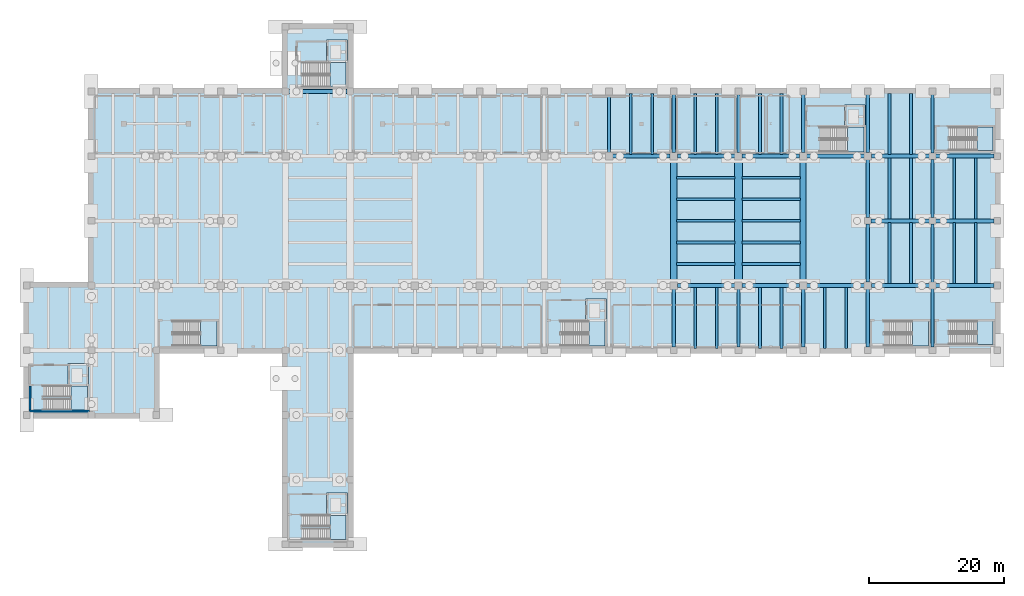
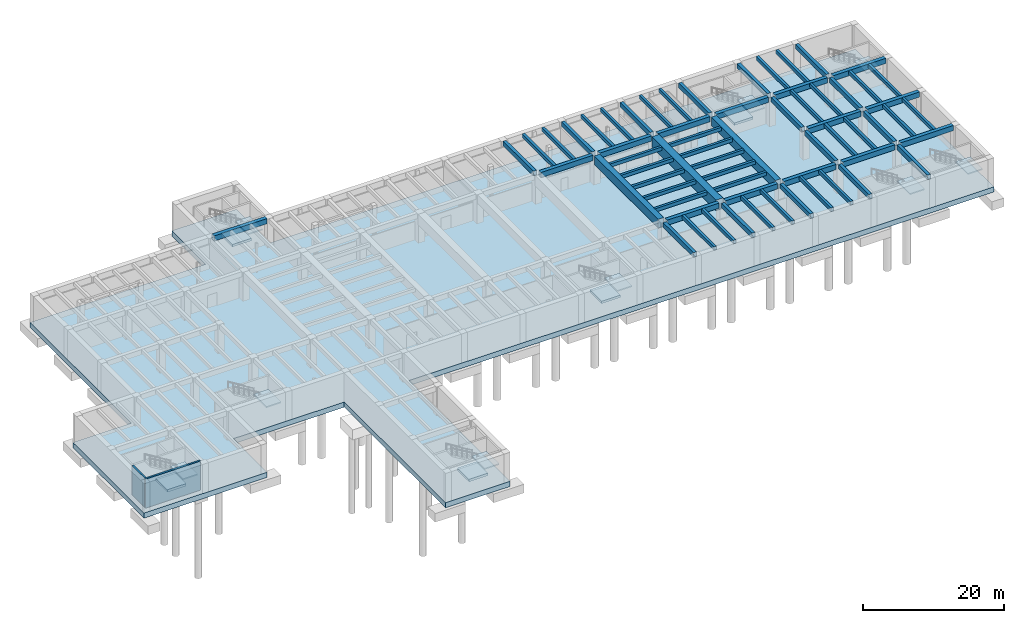
# One storey, part 8 of 24: 64 beams, 15 slabs, 2 walls, 9 elements without a shape of their own.
"""IFC4 building model written with IfcOpenShell, lengths in metres."""

from ifc_helpers import new_model, si_unit, direction, frame, frame_2d, origin, origin_2d, place, context, subcontext, project, spatial, polyline, rectangle, outline, extrude, material, layer, layer_set, material_profile, profile_set, type_object, element, aggregate, save


model = new_model("IFC4")

# Units and contexts
model_context = context("Model", 3, precision=1e-05, world=origin(), true_north=direction((0.0, 1.0)))
body_context = subcontext(model_context, "Body", "Model", "MODEL_VIEW")
ifc_project = project(units=[si_unit("LENGTHUNIT", "METRE"), si_unit("AREAUNIT", "SQUARE_METRE"), si_unit("VOLUMEUNIT", "CUBIC_METRE"), si_unit("PLANEANGLEUNIT", "RADIAN"), si_unit("MASSUNIT", "GRAM", prefix="KILO")], contexts=[model_context])

# Site, building, storey
site_placement = place(None, origin())
site = spatial("IfcSite", under=ifc_project, at=site_placement, CompositionType="ELEMENT")
building_placement = place(site_placement, origin())
building = spatial("IfcBuilding", under=site, at=building_placement, Name="Coralgate Yard Interchange", CompositionType="ELEMENT")
storey_placement = place(building_placement, frame((0.0, 0.0, -10.800048828125)))
storey = spatial("IfcBuildingStorey", under=building, at=storey_placement, Name="B2", CompositionType="ELEMENT", Elevation=-10.800048828125)

# Beams
ifc_material = material(Name="Concrete C40/50", Category="concrete")
ifc_material_profile_1 = material_profile(ifc_material, rectangle(XDim=0.60009765625, YDim=0.89990234375, at=origin_2d()), Name="RC 600x900")
ifc_profile_set_1 = profile_set([ifc_material_profile_1], Name="Concrete C40/50")
beam_type_1 = type_object("IfcBeamType", Name="BM-CB-3", PredefinedType="BEAM", material=ifc_profile_set_1)
beam_1_placement = place(storey_placement, frame((106.1201171875, 48.0, 4.60009765625), z_axis=(1.0, 0.0, 0.0), x_axis=(0.0, 1.0, 0.0)))
element("IfcBeam", 1, at=beam_1_placement, inside=storey, type_object=beam_type_1, Name="B2 primary grid beam Y5 X11-12", PredefinedType="BEAM", context=body_context, shape_type="SweptSolid", body=[
    extrude(rectangle(XDim=0.60009765625, YDim=0.89990234375, at=origin_2d()), origin(), (0.0, 0.0, 1.0), 8.559814453125),
])
beam_2_placement = place(storey_placement, frame((115.719970703125, 48.0, 4.60009765625), z_axis=(1.0, 0.0, 0.0), x_axis=(0.0, 1.0, 0.0)))
element("IfcBeam", 2, at=beam_2_placement, inside=storey, type_object=beam_type_1, Name="B2 primary grid beam Y5 X12-13", PredefinedType="BEAM", context=body_context, shape_type="SweptSolid", body=[
    extrude(rectangle(XDim=0.60009765625, YDim=0.89990234375, at=origin_2d()), origin(), (0.0, 0.0, 1.0), 8.56005859375),
])
beam_3_placement = place(storey_placement, frame((125.320068359375, 48.0, 4.60009765625), z_axis=(1.0, 0.0, 0.0), x_axis=(0.0, 1.0, 0.0)))
element("IfcBeam", 3, at=beam_3_placement, inside=storey, type_object=beam_type_1, Name="B2 primary grid beam Y5 X13-14", PredefinedType="BEAM", context=body_context, shape_type="SweptSolid", body=[
    extrude(rectangle(XDim=0.60009765625, YDim=0.89990234375, at=origin_2d()), origin(), (0.0, 0.0, 1.0), 8.559814453125),
])
beam_4_placement = place(storey_placement, frame((134.919921875, 48.0, 4.60009765625), z_axis=(1.0, 0.0, 0.0), x_axis=(0.0, 1.0, 0.0)))
element("IfcBeam", 4, at=beam_4_placement, inside=storey, type_object=beam_type_1, Name="B2 primary grid beam Y5 X14-15", PredefinedType="BEAM", context=body_context, shape_type="SweptSolid", body=[
    extrude(rectangle(XDim=0.60009765625, YDim=0.89990234375, at=origin_2d()), origin(), (0.0, 0.0, 1.0), 8.610107421875),
])
for number, where, z_axis, x_axis, name in (
    (5, (144.469970703125, 48.0, 4.60009765625), (1.0, 0.0, 0.0), (0.0, 1.0, 0.0), "B2 primary grid beam Y5 X15-16"),
    (6, (134.8701171875, 57.60009765625, 4.60009765625), (1.0, 0.0, 0.0), (0.0, 1.0, 0.0), "B2 primary grid beam Y6 X14-15"),
    (7, (144.469970703125, 57.60009765625, 4.60009765625), (1.0, 0.0, 0.0), (0.0, 1.0, 0.0), "B2 primary grid beam Y6 X15-16"),
):
    element("IfcBeam", number, at=place(storey_placement, frame(where, z_axis=z_axis, x_axis=x_axis)), inside=storey, type_object=beam_type_1, Name=name, PredefinedType="BEAM", context=body_context, shape_type="SweptSolid", body=[
        extrude(rectangle(XDim=0.60009765625, YDim=0.89990234375, at=origin_2d()), origin(), (0.0, 0.0, 1.0), 8.659912109375),
    ])
beam_5_placement = place(storey_placement, frame((96.52001953125, 67.199951171875, 4.60009765625), z_axis=(1.0, 0.0, 0.0), x_axis=(0.0, 1.0, 0.0)))
element("IfcBeam", 8, at=beam_5_placement, inside=storey, type_object=beam_type_1, Name="B2 primary grid beam Y7 X10-11", PredefinedType="BEAM", context=body_context, shape_type="SweptSolid", body=[
    extrude(rectangle(XDim=0.60009765625, YDim=0.89990234375, at=origin_2d()), origin(), (0.0, 0.0, 1.0), 8.56005859375),
])
beam_6_placement = place(storey_placement, frame((106.1201171875, 67.199951171875, 4.60009765625), z_axis=(1.0, 0.0, 0.0), x_axis=(0.0, 1.0, 0.0)))
element("IfcBeam", 9, at=beam_6_placement, inside=storey, type_object=beam_type_1, Name="B2 primary grid beam Y7 X11-12", PredefinedType="BEAM", context=body_context, shape_type="SweptSolid", body=[
    extrude(rectangle(XDim=0.60009765625, YDim=0.89990234375, at=origin_2d()), origin(), (0.0, 0.0, 1.0), 8.559814453125),
])
beam_7_placement = place(storey_placement, frame((115.719970703125, 67.199951171875, 4.60009765625), z_axis=(1.0, 0.0, 0.0), x_axis=(0.0, 1.0, 0.0)))
element("IfcBeam", 10, at=beam_7_placement, inside=storey, type_object=beam_type_1, Name="B2 primary grid beam Y7 X12-13", PredefinedType="BEAM", context=body_context, shape_type="SweptSolid", body=[
    extrude(rectangle(XDim=0.60009765625, YDim=0.89990234375, at=origin_2d()), origin(), (0.0, 0.0, 1.0), 8.56005859375),
])
beam_8_placement = place(storey_placement, frame((125.320068359375, 67.199951171875, 4.60009765625), z_axis=(1.0, 0.0, 0.0), x_axis=(0.0, 1.0, 0.0)))
element("IfcBeam", 11, at=beam_8_placement, inside=storey, type_object=beam_type_1, Name="B2 primary grid beam Y7 X13-14", PredefinedType="BEAM", context=body_context, shape_type="SweptSolid", body=[
    extrude(rectangle(XDim=0.60009765625, YDim=0.89990234375, at=origin_2d()), origin(), (0.0, 0.0, 1.0), 8.559814453125),
])
beam_9_placement = place(storey_placement, frame((134.919921875, 67.199951171875, 4.60009765625), z_axis=(1.0, 0.0, 0.0), x_axis=(0.0, 1.0, 0.0)))
element("IfcBeam", 12, at=beam_9_placement, inside=storey, type_object=beam_type_1, Name="B2 primary grid beam Y7 X14-15", PredefinedType="BEAM", context=body_context, shape_type="SweptSolid", body=[
    extrude(rectangle(XDim=0.60009765625, YDim=0.89990234375, at=origin_2d()), origin(), (0.0, 0.0, 1.0), 8.610107421875),
])
for number, where, z_axis, x_axis, name in (
    (13, (144.469970703125, 67.199951171875, 4.60009765625), (1.0, 0.0, 0.0), (0.0, 1.0, 0.0), "B2 primary grid beam Y7 X15-16"),
    (14, (48.469970703125, 76.800048828125, 4.60009765625), (1.0, 0.0, 0.0), (0.0, 1.0, 0.0), "B2 primary grid beam Y8 X5-6"),
):
    element("IfcBeam", number, at=place(storey_placement, frame(where, z_axis=z_axis, x_axis=x_axis)), inside=storey, type_object=beam_type_1, Name=name, PredefinedType="BEAM", context=body_context, shape_type="SweptSolid", body=[
        extrude(rectangle(XDim=0.60009765625, YDim=0.89990234375, at=origin_2d()), origin(), (0.0, 0.0, 1.0), 8.659912109375),
    ])
ifc_material_profile_2 = material_profile(ifc_material, rectangle(XDim=0.5, YDim=0.800048828125, at=origin_2d()), Name="RC 500x800")
ifc_profile_set_2 = profile_set([ifc_material_profile_2], Name="Concrete C40/50")
beam_type_2 = type_object("IfcBeamType", Name="BM-CB-4", PredefinedType="BEAM", material=ifc_profile_set_2)
beam_10_placement = place(storey_placement, frame((96.0, 67.719970703125, 4.650146484375), z_axis=(0.0, 1.0, 0.0), x_axis=(-1.0, 0.0, 0.0)))
element("IfcBeam", 15, at=beam_10_placement, inside=storey, type_object=beam_type_2, Name="B2 primary grid girder X10 Y7-8", PredefinedType="BEAM", context=body_context, shape_type="SweptSolid", body=[
    extrude(rectangle(XDim=0.5, YDim=0.800048828125, at=origin_2d()), origin(), (0.0, 0.0, 1.0), 8.610107421875),
])
beam_11_placement = place(storey_placement, frame((105.60009765625, 38.8701171875, 4.650146484375), z_axis=(0.0, 1.0, 0.0), x_axis=(-1.0, 0.0, 0.0)))
element("IfcBeam", 16, at=beam_11_placement, inside=storey, type_object=beam_type_2, Name="B2 primary grid girder X11 Y4-5", PredefinedType="BEAM", context=body_context, shape_type="SweptSolid", body=[
    extrude(rectangle(XDim=0.5, YDim=0.800048828125, at=origin_2d()), origin(), (0.0, 0.0, 1.0), 8.60986328125),
])
beam_12_placement = place(storey_placement, frame((105.60009765625, 67.719970703125, 4.650146484375), z_axis=(0.0, 1.0, 0.0), x_axis=(-1.0, 0.0, 0.0)))
element("IfcBeam", 17, at=beam_12_placement, inside=storey, type_object=beam_type_2, Name="B2 primary grid girder X11 Y7-8", PredefinedType="BEAM", context=body_context, shape_type="SweptSolid", body=[
    extrude(rectangle(XDim=0.5, YDim=0.800048828125, at=origin_2d()), origin(), (0.0, 0.0, 1.0), 8.610107421875),
])
beam_13_placement = place(storey_placement, frame((115.199951171875, 38.8701171875, 4.650146484375), z_axis=(0.0, 1.0, 0.0), x_axis=(-1.0, 0.0, 0.0)))
element("IfcBeam", 18, at=beam_13_placement, inside=storey, type_object=beam_type_2, Name="B2 primary grid girder X12 Y4-5", PredefinedType="BEAM", context=body_context, shape_type="SweptSolid", body=[
    extrude(rectangle(XDim=0.5, YDim=0.800048828125, at=origin_2d()), origin(), (0.0, 0.0, 1.0), 8.60986328125),
])
beam_14_placement = place(storey_placement, frame((115.199951171875, 67.719970703125, 4.650146484375), z_axis=(0.0, 1.0, 0.0), x_axis=(-1.0, 0.0, 0.0)))
element("IfcBeam", 19, at=beam_14_placement, inside=storey, type_object=beam_type_2, Name="B2 primary grid girder X12 Y7-8", PredefinedType="BEAM", context=body_context, shape_type="SweptSolid", body=[
    extrude(rectangle(XDim=0.5, YDim=0.800048828125, at=origin_2d()), origin(), (0.0, 0.0, 1.0), 8.610107421875),
])
beam_15_placement = place(storey_placement, frame((124.800048828125, 38.8701171875, 4.650146484375), z_axis=(0.0, 1.0, 0.0), x_axis=(-1.0, 0.0, 0.0)))
element("IfcBeam", 20, at=beam_15_placement, inside=storey, type_object=beam_type_2, Name="B2 primary grid girder X13 Y4-5", PredefinedType="BEAM", context=body_context, shape_type="SweptSolid", body=[
    extrude(rectangle(XDim=0.5, YDim=0.800048828125, at=origin_2d()), origin(), (0.0, 0.0, 1.0), 8.60986328125),
])
beam_16_placement = place(storey_placement, frame((124.800048828125, 67.719970703125, 4.650146484375), z_axis=(0.0, 1.0, 0.0), x_axis=(-1.0, 0.0, 0.0)))
element("IfcBeam", 21, at=beam_16_placement, inside=storey, type_object=beam_type_2, Name="B2 primary grid girder X13 Y7-8", PredefinedType="BEAM", context=body_context, shape_type="SweptSolid", body=[
    extrude(rectangle(XDim=0.5, YDim=0.800048828125, at=origin_2d()), origin(), (0.0, 0.0, 1.0), 8.610107421875),
])
for number, where, z_axis, x_axis, name in (
    (22, (134.39990234375, 38.8701171875, 4.650146484375), (0.0, 1.0, 0.0), (-1.0, 0.0, 0.0), "B2 primary grid girder X14 Y4-5"),
    (23, (134.39990234375, 48.52001953125, 4.650146484375), (0.0, 1.0, 0.0), (-1.0, 0.0, 0.0), "B2 primary grid girder X14 Y5-6"),
    (24, (134.39990234375, 58.070068359375, 4.650146484375), (0.0, 1.0, 0.0), (-1.0, 0.0, 0.0), "B2 primary grid girder X14 Y6-7"),
):
    element("IfcBeam", number, at=place(storey_placement, frame(where, z_axis=z_axis, x_axis=x_axis)), inside=storey, type_object=beam_type_2, Name=name, PredefinedType="BEAM", context=body_context, shape_type="SweptSolid", body=[
        extrude(rectangle(XDim=0.5, YDim=0.800048828125, at=origin_2d()), origin(), (0.0, 0.0, 1.0), 8.60986328125),
    ])
beam_17_placement = place(storey_placement, frame((134.39990234375, 67.719970703125, 4.650146484375), z_axis=(0.0, 1.0, 0.0), x_axis=(-1.0, 0.0, 0.0)))
element("IfcBeam", 25, at=beam_17_placement, inside=storey, type_object=beam_type_2, Name="B2 primary grid girder X14 Y7-8", PredefinedType="BEAM", context=body_context, shape_type="SweptSolid", body=[
    extrude(rectangle(XDim=0.5, YDim=0.800048828125, at=origin_2d()), origin(), (0.0, 0.0, 1.0), 8.610107421875),
])
for number, where, z_axis, x_axis, name in (
    (26, (144.0, 38.8701171875, 4.650146484375), (0.0, 1.0, 0.0), (-1.0, 0.0, 0.0), "B2 primary grid girder X15 Y4-5"),
    (27, (144.0, 48.469970703125, 4.650146484375), (0.0, 1.0, 0.0), (-1.0, 0.0, 0.0), "B2 primary grid girder X15 Y5-6"),
    (28, (144.0, 58.070068359375, 4.650146484375), (0.0, 1.0, 0.0), (-1.0, 0.0, 0.0), "B2 primary grid girder X15 Y6-7"),
):
    element("IfcBeam", number, at=place(storey_placement, frame(where, z_axis=z_axis, x_axis=x_axis)), inside=storey, type_object=beam_type_2, Name=name, PredefinedType="BEAM", context=body_context, shape_type="SweptSolid", body=[
        extrude(rectangle(XDim=0.5, YDim=0.800048828125, at=origin_2d()), origin(), (0.0, 0.0, 1.0), 8.659912109375),
    ])
beam_18_placement = place(storey_placement, frame((144.0, 67.669921875, 4.650146484375), z_axis=(0.0, 1.0, 0.0), x_axis=(-1.0, 0.0, 0.0)))
element("IfcBeam", 29, at=beam_18_placement, inside=storey, type_object=beam_type_2, Name="B2 primary grid girder X15 Y7-8", PredefinedType="BEAM", context=body_context, shape_type="SweptSolid", body=[
    extrude(rectangle(XDim=0.5, YDim=0.800048828125, at=origin_2d()), origin(), (0.0, 0.0, 1.0), 8.66015625),
])
ifc_material_profile_3 = material_profile(ifc_material, rectangle(XDim=0.39990234375, YDim=0.60009765625, at=origin_2d()), Name="RC 400x600")
ifc_profile_set_3 = profile_set([ifc_material_profile_3], Name="Concrete C40/50")
beam_type_3 = type_object("IfcBeamType", Name="BM-CB-5", PredefinedType="BEAM", material=ifc_profile_set_3)
for number, where, z_axis, x_axis, name in (
    (30, (99.199951171875, 67.469970703125, 4.75), (0.0, 1.0, 0.0), (-1.0, 0.0, 0.0), "B2 composite floor joist 10-7-1"),
    (31, (102.39990234375, 67.469970703125, 4.75), (0.0, 1.0, 0.0), (-1.0, 0.0, 0.0), "B2 composite floor joist 10-7-2"),
    (32, (108.800048828125, 38.669921875, 4.75), (0.0, 1.0, 0.0), (-1.0, 0.0, 0.0), "B2 composite floor joist 11-4-1"),
    (33, (112.0, 38.669921875, 4.75), (0.0, 1.0, 0.0), (-1.0, 0.0, 0.0), "B2 composite floor joist 11-4-2"),
):
    element("IfcBeam", number, at=place(storey_placement, frame(where, z_axis=z_axis, x_axis=x_axis)), inside=storey, type_object=beam_type_3, Name=name, PredefinedType="BEAM", context=body_context, shape_type="SweptSolid", body=[
        extrude(rectangle(XDim=0.39990234375, YDim=0.60009765625, at=origin_2d()), origin(), (0.0, 0.0, 1.0), 9.06005859375),
    ])
for number, where, z_axis, x_axis, name in (
    (34, (106.02001953125, 51.199951171875, 4.75), (1.0, 0.0, 0.0), (0.0, 1.0, 0.0), "B2 metro bay secondary beam 11-1"),
    (35, (106.02001953125, 54.39990234375, 4.75), (1.0, 0.0, 0.0), (0.0, 1.0, 0.0), "B2 metro bay secondary beam 11-2"),
    (36, (106.02001953125, 57.60009765625, 4.75), (1.0, 0.0, 0.0), (0.0, 1.0, 0.0), "B2 metro bay secondary beam 11-3"),
    (37, (106.02001953125, 60.800048828125, 4.75), (1.0, 0.0, 0.0), (0.0, 1.0, 0.0), "B2 metro bay secondary beam 11-4"),
    (38, (106.02001953125, 64.0, 4.75), (1.0, 0.0, 0.0), (0.0, 1.0, 0.0), "B2 metro bay secondary beam 11-5"),
):
    element("IfcBeam", number, at=place(storey_placement, frame(where, z_axis=z_axis, x_axis=x_axis)), inside=storey, type_object=beam_type_3, Name=name, PredefinedType="BEAM", context=body_context, shape_type="SweptSolid", body=[
        extrude(rectangle(XDim=0.39990234375, YDim=0.60009765625, at=origin_2d()), origin(), (0.0, 0.0, 1.0), 8.635009765625),
    ])
for number, where, z_axis, x_axis, name in (
    (39, (108.800048828125, 67.469970703125, 4.75), (0.0, 1.0, 0.0), (-1.0, 0.0, 0.0), "B2 composite floor joist 11-7-1"),
    (40, (112.0, 67.469970703125, 4.75), (0.0, 1.0, 0.0), (-1.0, 0.0, 0.0), "B2 composite floor joist 11-7-2"),
    (41, (118.39990234375, 38.669921875, 4.75), (0.0, 1.0, 0.0), (-1.0, 0.0, 0.0), "B2 composite floor joist 12-4-1"),
    (42, (121.60009765625, 38.669921875, 4.75), (0.0, 1.0, 0.0), (-1.0, 0.0, 0.0), "B2 composite floor joist 12-4-2"),
):
    element("IfcBeam", number, at=place(storey_placement, frame(where, z_axis=z_axis, x_axis=x_axis)), inside=storey, type_object=beam_type_3, Name=name, PredefinedType="BEAM", context=body_context, shape_type="SweptSolid", body=[
        extrude(rectangle(XDim=0.39990234375, YDim=0.60009765625, at=origin_2d()), origin(), (0.0, 0.0, 1.0), 9.06005859375),
    ])
for number, where, z_axis, x_axis, name in (
    (43, (115.7451171875, 51.199951171875, 4.75), (1.0, 0.0, 0.0), (0.0, 1.0, 0.0), "B2 metro bay secondary beam 12-1"),
    (44, (115.7451171875, 54.39990234375, 4.75), (1.0, 0.0, 0.0), (0.0, 1.0, 0.0), "B2 metro bay secondary beam 12-2"),
    (45, (115.7451171875, 57.60009765625, 4.75), (1.0, 0.0, 0.0), (0.0, 1.0, 0.0), "B2 metro bay secondary beam 12-3"),
    (46, (115.7451171875, 60.800048828125, 4.75), (1.0, 0.0, 0.0), (0.0, 1.0, 0.0), "B2 metro bay secondary beam 12-4"),
    (47, (115.7451171875, 64.0, 4.75), (1.0, 0.0, 0.0), (0.0, 1.0, 0.0), "B2 metro bay secondary beam 12-5"),
):
    element("IfcBeam", number, at=place(storey_placement, frame(where, z_axis=z_axis, x_axis=x_axis)), inside=storey, type_object=beam_type_3, Name=name, PredefinedType="BEAM", context=body_context, shape_type="SweptSolid", body=[
        extrude(rectangle(XDim=0.39990234375, YDim=0.60009765625, at=origin_2d()), origin(), (0.0, 0.0, 1.0), 8.634765625),
    ])
for number, where, z_axis, x_axis, name in (
    (48, (118.39990234375, 67.469970703125, 4.75), (0.0, 1.0, 0.0), (-1.0, 0.0, 0.0), "B2 composite floor joist 12-7-1"),
    (49, (121.60009765625, 67.469970703125, 4.75), (0.0, 1.0, 0.0), (-1.0, 0.0, 0.0), "B2 composite floor joist 12-7-2"),
    (50, (128.0, 38.669921875, 4.75), (0.0, 1.0, 0.0), (-1.0, 0.0, 0.0), "B2 composite floor joist 13-4-1"),
    (51, (131.199951171875, 38.669921875, 4.75), (0.0, 1.0, 0.0), (-1.0, 0.0, 0.0), "B2 composite floor joist 13-4-2"),
    (52, (137.60009765625, 48.27001953125, 4.75), (0.0, 1.0, 0.0), (-1.0, 0.0, 0.0), "B2 composite floor joist 14-5-1"),
    (53, (140.800048828125, 48.27001953125, 4.75), (0.0, 1.0, 0.0), (-1.0, 0.0, 0.0), "B2 composite floor joist 14-5-2"),
):
    element("IfcBeam", number, at=place(storey_placement, frame(where, z_axis=z_axis, x_axis=x_axis)), inside=storey, type_object=beam_type_3, Name=name, PredefinedType="BEAM", context=body_context, shape_type="SweptSolid", body=[
        extrude(rectangle(XDim=0.39990234375, YDim=0.60009765625, at=origin_2d()), origin(), (0.0, 0.0, 1.0), 9.06005859375),
    ])
for number, where, z_axis, x_axis, name in (
    (54, (137.60009765625, 57.8701171875, 4.75), (0.0, 1.0, 0.0), (-1.0, 0.0, 0.0), "B2 composite floor joist 14-6-1"),
    (55, (140.800048828125, 57.8701171875, 4.75), (0.0, 1.0, 0.0), (-1.0, 0.0, 0.0), "B2 composite floor joist 14-6-2"),
):
    element("IfcBeam", number, at=place(storey_placement, frame(where, z_axis=z_axis, x_axis=x_axis)), inside=storey, type_object=beam_type_3, Name=name, PredefinedType="BEAM", context=body_context, shape_type="SweptSolid", body=[
        extrude(rectangle(XDim=0.39990234375, YDim=0.60009765625, at=origin_2d()), origin(), (0.0, 0.0, 1.0), 9.059814453125),
    ])
for number, where, z_axis, x_axis, name in (
    (56, (137.60009765625, 67.469970703125, 4.75), (0.0, 1.0, 0.0), (-1.0, 0.0, 0.0), "B2 composite floor joist 14-7-1"),
    (57, (140.800048828125, 67.469970703125, 4.75), (0.0, 1.0, 0.0), (-1.0, 0.0, 0.0), "B2 composite floor joist 14-7-2"),
    (58, (147.199951171875, 48.27001953125, 4.75), (0.0, 1.0, 0.0), (-1.0, 0.0, 0.0), "B2 composite floor joist 15-5-1"),
    (59, (150.39990234375, 48.27001953125, 4.75), (0.0, 1.0, 0.0), (-1.0, 0.0, 0.0), "B2 composite floor joist 15-5-2"),
):
    element("IfcBeam", number, at=place(storey_placement, frame(where, z_axis=z_axis, x_axis=x_axis)), inside=storey, type_object=beam_type_3, Name=name, PredefinedType="BEAM", context=body_context, shape_type="SweptSolid", body=[
        extrude(rectangle(XDim=0.39990234375, YDim=0.60009765625, at=origin_2d()), origin(), (0.0, 0.0, 1.0), 9.06005859375),
    ])
for number, where, z_axis, x_axis, name in (
    (60, (147.199951171875, 57.8701171875, 4.75), (0.0, 1.0, 0.0), (-1.0, 0.0, 0.0), "B2 composite floor joist 15-6-1"),
    (61, (150.39990234375, 57.8701171875, 4.75), (0.0, 1.0, 0.0), (-1.0, 0.0, 0.0), "B2 composite floor joist 15-6-2"),
):
    element("IfcBeam", number, at=place(storey_placement, frame(where, z_axis=z_axis, x_axis=x_axis)), inside=storey, type_object=beam_type_3, Name=name, PredefinedType="BEAM", context=body_context, shape_type="SweptSolid", body=[
        extrude(rectangle(XDim=0.39990234375, YDim=0.60009765625, at=origin_2d()), origin(), (0.0, 0.0, 1.0), 9.059814453125),
    ])
ifc_material_profile_4 = material_profile(ifc_material, rectangle(XDim=0.89990234375, YDim=1.5, at=origin_2d()), Name="RC 900x1500")
ifc_profile_set_4 = profile_set([ifc_material_profile_4], Name="Concrete C40/50")
beam_type_4 = type_object("IfcBeamType", Name="BM-TG-2", PredefinedType="BEAM", material=ifc_profile_set_4)
for number, where, z_axis, x_axis, name in (
    (62, (105.60009765625, 48.52001953125, 4.300048828125), (0.0, 1.0, 0.0), (-1.0, 0.0, 0.0), "B2 primary grid girder X11 Y5-7"),
    (63, (124.800048828125, 48.52001953125, 4.300048828125), (0.0, 1.0, 0.0), (-1.0, 0.0, 0.0), "B2 primary grid girder X13 Y5-7"),
):
    element("IfcBeam", number, at=place(storey_placement, frame(where, z_axis=z_axis, x_axis=x_axis)), inside=storey, type_object=beam_type_4, Name=name, PredefinedType="BEAM", context=body_context, shape_type="SweptSolid", body=[
        extrude(rectangle(XDim=0.89990234375, YDim=1.5, at=origin_2d()), origin(), (0.0, 0.0, 1.0), 18.159912109375),
    ])
ifc_material_profile_5 = material_profile(ifc_material, rectangle(XDim=1.14990234375, YDim=1.800048828125, at=origin_2d()), Name="RC 1150x1800")
ifc_profile_set_5 = profile_set([ifc_material_profile_5], Name="Concrete C40/50")
beam_type_5 = type_object("IfcBeamType", Name="BM-TG-4", PredefinedType="BEAM", material=ifc_profile_set_5)
beam_19_placement = place(storey_placement, frame((115.199951171875, 48.52001953125, 4.150146484375), z_axis=(0.0, 1.0, 0.0), x_axis=(-1.0, 0.0, 0.0)))
element("IfcBeam", 64, at=beam_19_placement, inside=storey, type_object=beam_type_5, Name="B2 primary grid girder X12 Y5-7", PredefinedType="BEAM", context=body_context, shape_type="SweptSolid", body=[
    extrude(rectangle(XDim=1.14990234375, YDim=1.800048828125, at=origin_2d()), origin(), (0.0, 0.0, 1.0), 18.159912109375),
])

# Stair, slab
stair_type_1 = type_object("IfcStairType", Name="STR-DL-165-54", PredefinedType="HALF_TURN_STAIR", material=ifc_material)
stair_1_placement = place(storey_placement, origin())
stair_1 = element("IfcStair", 65, at=stair_1_placement, inside=storey, type_object=stair_type_1, Name="B2 Escape stair ST-01", PredefinedType="HALF_TURN_STAIR")
ifc_layer_1 = layer(ifc_material, 0.199951171875)
ifc_layer_set_1 = layer_set([ifc_layer_1], Name="Concrete C40/50")
slab_type_1 = type_object("IfcSlabType", Name="SLB-LND200", PredefinedType="LANDING", material=ifc_layer_set_1)
slab_1_placement = place(storey_placement, frame((0.0, 0.0, 2.5)))
slab_1 = element("IfcSlab", 66, at=slab_1_placement, type_object=slab_type_1, Name="ST-01 landing 1", PredefinedType="LANDING", context=body_context, shape_type="SweptSolid", body=[
    extrude(outline(polyline([(16.199951171875, 29.52001953125), (18.60009765625, 29.52001953125), (18.60009765625, 33.110107421875), (16.199951171875, 33.110107421875), (16.199951171875, 29.52001953125)])), origin(), (0.0, 0.0, 1.0), 0.199951171875),
])
aggregate(stair_1, [slab_1])

stair_type_2 = type_object("IfcStairType", Name="STR-DL-158-54", PredefinedType="HALF_TURN_STAIR", material=ifc_material)
stair_2_placement = place(storey_placement, origin())
stair_2 = element("IfcStair", 67, at=stair_2_placement, inside=storey, type_object=stair_type_2, Name="B2 Escape stair ST-10", PredefinedType="HALF_TURN_STAIR")
slab_2_placement = place(storey_placement, frame((0.0, 0.0, 2.5)))
slab_2 = element("IfcSlab", 68, at=slab_2_placement, type_object=slab_type_1, Name="ST-10 landing 1", PredefinedType="LANDING", context=body_context, shape_type="SweptSolid", body=[
    extrude(outline(polyline([(150.60009765625, 39.260009765625), (153.0, 39.260009765625), (153.0, 42.7099609375), (150.60009765625, 42.7099609375), (150.60009765625, 39.260009765625)])), origin(), (0.0, 0.0, 1.0), 0.199951171875),
])
aggregate(stair_2, [slab_2])

stair_3_placement = place(storey_placement, origin())
stair_3 = element("IfcStair", 69, at=stair_3_placement, inside=storey, type_object=stair_type_2, Name="B2 Escape stair ST-11", PredefinedType="HALF_TURN_STAIR")
slab_3_placement = place(storey_placement, frame((0.0, 0.0, 2.5)))
slab_3 = element("IfcSlab", 70, at=slab_3_placement, type_object=slab_type_1, Name="ST-11 landing 1", PredefinedType="LANDING", context=body_context, shape_type="SweptSolid", body=[
    extrude(outline(polyline([(150.60009765625, 68.06005859375), (153.0, 68.06005859375), (153.0, 71.510009765625), (150.60009765625, 71.510009765625), (150.60009765625, 68.06005859375)])), origin(), (0.0, 0.0, 1.0), 0.199951171875),
])
aggregate(stair_3, [slab_3])

stair_type_3 = type_object("IfcStairType", Name="STR-DL-175-54", PredefinedType="HALF_TURN_STAIR", material=ifc_material)
stair_4_placement = place(storey_placement, origin())
stair_4 = element("IfcStair", 71, at=stair_4_placement, inside=storey, type_object=stair_type_3, Name="B2 Escape stair ST-12", PredefinedType="HALF_TURN_STAIR")
slab_4_placement = place(storey_placement, frame((0.0, 0.0, 2.5)))
slab_4 = element("IfcSlab", 72, at=slab_4_placement, type_object=slab_type_1, Name="ST-12 landing 1", PredefinedType="LANDING", context=body_context, shape_type="SweptSolid", body=[
    extrude(outline(polyline([(35.39990234375, 39.050048828125), (37.800048828125, 39.050048828125), (37.800048828125, 42.7099609375), (35.39990234375, 42.7099609375), (35.39990234375, 39.050048828125)])), origin(), (0.0, 0.0, 1.0), 0.199951171875),
])
aggregate(stair_4, [slab_4])

stair_5_placement = place(storey_placement, origin())
stair_5 = element("IfcStair", 73, at=stair_5_placement, inside=storey, type_object=stair_type_3, Name="B2 Escape stair ST-13", PredefinedType="HALF_TURN_STAIR")
slab_5_placement = place(storey_placement, frame((0.0, 0.0, 2.5)))
slab_5 = element("IfcSlab", 74, at=slab_5_placement, type_object=slab_type_1, Name="ST-13 landing 1", PredefinedType="LANDING", context=body_context, shape_type="SweptSolid", body=[
    extrude(outline(polyline([(141.0, 39.050048828125), (143.39990234375, 39.050048828125), (143.39990234375, 42.7099609375), (141.0, 42.7099609375), (141.0, 39.050048828125)])), origin(), (0.0, 0.0, 1.0), 0.199951171875),
])
aggregate(stair_5, [slab_5])

stair_6_placement = place(storey_placement, origin())
stair_6 = element("IfcStair", 75, at=stair_6_placement, inside=storey, type_object=stair_type_1, Name="B2 Escape stair ST-02", PredefinedType="HALF_TURN_STAIR")
slab_6_placement = place(storey_placement, frame((0.0, 0.0, 2.5)))
slab_6 = element("IfcSlab", 76, at=slab_6_placement, type_object=slab_type_1, Name="ST-02 landing 1", PredefinedType="LANDING", context=body_context, shape_type="SweptSolid", body=[
    extrude(outline(polyline([(54.60009765625, 10.320068359375), (57.0, 10.320068359375), (57.0, 13.909912109375), (54.60009765625, 13.909912109375), (54.60009765625, 10.320068359375)])), origin(), (0.0, 0.0, 1.0), 0.199951171875),
])
aggregate(stair_6, [slab_6])

stair_7_placement = place(storey_placement, origin())
stair_7 = element("IfcStair", 77, at=stair_7_placement, inside=storey, type_object=stair_type_3, Name="B2 Escape stair ST-05", PredefinedType="HALF_TURN_STAIR")
slab_7_placement = place(storey_placement, frame((0.0, 0.0, 2.5)))
slab_7 = element("IfcSlab", 78, at=slab_7_placement, type_object=slab_type_1, Name="ST-05 landing 1", PredefinedType="LANDING", context=body_context, shape_type="SweptSolid", body=[
    extrude(outline(polyline([(54.60009765625, 77.449951171875), (57.0, 77.449951171875), (57.0, 81.110107421875), (54.60009765625, 81.110107421875), (54.60009765625, 77.449951171875)])), origin(), (0.0, 0.0, 1.0), 0.199951171875),
])
aggregate(stair_7, [slab_7])

stair_8_placement = place(storey_placement, origin())
stair_8 = element("IfcStair", 79, at=stair_8_placement, inside=storey, type_object=stair_type_3, Name="B2 Escape stair ST-06", PredefinedType="HALF_TURN_STAIR")
slab_8_placement = place(storey_placement, frame((0.0, 0.0, 2.5)))
slab_8 = element("IfcSlab", 80, at=slab_8_placement, type_object=slab_type_1, Name="ST-06 landing 1", PredefinedType="LANDING", context=body_context, shape_type="SweptSolid", body=[
    extrude(outline(polyline([(93.0, 39.050048828125), (95.39990234375, 39.050048828125), (95.39990234375, 42.7099609375), (93.0, 42.7099609375), (93.0, 39.050048828125)])), origin(), (0.0, 0.0, 1.0), 0.199951171875),
])
aggregate(stair_8, [slab_8])

stair_9_placement = place(storey_placement, origin())
stair_9 = element("IfcStair", 81, at=stair_9_placement, inside=storey, type_object=stair_type_3, Name="B2 Escape stair ST-07", PredefinedType="HALF_TURN_STAIR")
slab_9_placement = place(storey_placement, frame((0.0, 0.0, 2.5)))
slab_9 = element("IfcSlab", 82, at=slab_9_placement, type_object=slab_type_1, Name="ST-07 landing 1", PredefinedType="LANDING", context=body_context, shape_type="SweptSolid", body=[
    extrude(outline(polyline([(131.39990234375, 67.85009765625), (133.800048828125, 67.85009765625), (133.800048828125, 71.510009765625), (131.39990234375, 71.510009765625), (131.39990234375, 67.85009765625)])), origin(), (0.0, 0.0, 1.0), 0.199951171875),
])
aggregate(stair_9, [slab_9])

# Slabs
ifc_layer_2 = layer(ifc_material, 0.419921875)
ifc_layer_set_2 = layer_set([ifc_layer_2], Name="Concrete C40/50")
slab_type_2 = type_object("IfcSlabType", Name="SLB-PIT300", PredefinedType="BASESLAB", material=ifc_layer_set_2)
slab_10_placement = place(storey_placement, frame((0.0, 0.0, -1.619873046875)))
element("IfcSlab", 83, at=slab_10_placement, inside=storey, type_object=slab_type_2, Name="FFL-01 concrete lift pit base", PredefinedType="BASESLAB", context=body_context, shape_type="SweptSolid", body=[
    extrude(outline(polyline([(15.699951171875, 33.10009765625), (18.800048828125, 33.10009765625), (18.800048828125, 36.39990234375), (15.699951171875, 36.39990234375), (15.699951171875, 33.10009765625)])), origin(), (0.0, 0.0, 1.0), 0.419921875),
])
slab_11_placement = place(storey_placement, frame((0.0, 0.0, -1.619873046875)))
element("IfcSlab", 84, at=slab_11_placement, inside=storey, type_object=slab_type_2, Name="FFL-02 concrete lift pit base", PredefinedType="BASESLAB", context=body_context, shape_type="SweptSolid", body=[
    extrude(outline(polyline([(54.10009765625, 13.89990234375), (57.199951171875, 13.89990234375), (57.199951171875, 17.199951171875), (54.10009765625, 17.199951171875), (54.10009765625, 13.89990234375)])), origin(), (0.0, 0.0, 1.0), 0.419921875),
])
slab_12_placement = place(storey_placement, frame((0.0, 0.0, -1.619873046875)))
element("IfcSlab", 85, at=slab_12_placement, inside=storey, type_object=slab_type_2, Name="LF-03 concrete lift pit base", PredefinedType="BASESLAB", context=body_context, shape_type="SweptSolid", body=[
    extrude(outline(polyline([(54.10009765625, 81.10009765625), (57.199951171875, 81.10009765625), (57.199951171875, 84.39990234375), (54.10009765625, 84.39990234375), (54.10009765625, 81.10009765625)])), origin(), (0.0, 0.0, 1.0), 0.419921875),
])
slab_13_placement = place(storey_placement, frame((0.0, 0.0, -1.619873046875)))
element("IfcSlab", 86, at=slab_13_placement, inside=storey, type_object=slab_type_2, Name="LF-04 concrete lift pit base", PredefinedType="BASESLAB", context=body_context, shape_type="SweptSolid", body=[
    extrude(outline(polyline([(92.5, 42.699951171875), (95.60009765625, 42.699951171875), (95.60009765625, 46.0), (92.5, 46.0), (92.5, 42.699951171875)])), origin(), (0.0, 0.0, 1.0), 0.419921875),
])
slab_14_placement = place(storey_placement, frame((0.0, 0.0, -1.619873046875)))
element("IfcSlab", 87, at=slab_14_placement, inside=storey, type_object=slab_type_2, Name="LF-05 concrete lift pit base", PredefinedType="BASESLAB", context=body_context, shape_type="SweptSolid", body=[
    extrude(outline(polyline([(130.89990234375, 71.5), (134.0, 71.5), (134.0, 74.800048828125), (130.89990234375, 74.800048828125), (130.89990234375, 71.5)])), origin(), (0.0, 0.0, 1.0), 0.419921875),
])
ifc_layer_3 = layer(ifc_material, 0.89990234375)
ifc_layer_set_3 = layer_set([ifc_layer_3], Name="Concrete C40/50")
slab_type_3 = type_object("IfcSlabType", Name="SLB-SL-RAFT900", PredefinedType="BASESLAB", material=ifc_layer_set_3)
slab_15_placement = place(storey_placement, frame((0.0, 0.0, -0.89990234375)))
element("IfcSlab", 88, at=slab_15_placement, inside=storey, type_object=slab_type_3, Name="Metro station base raft 900 mm", PredefinedType="BASESLAB", context=body_context, shape_type="SweptSolid", body=[
    extrude(outline(polyline([(47.5, 37.89990234375), (29.300048828125, 37.89990234375), (29.300048828125, 28.300048828125), (9.10009765625, 28.300048828125), (9.10009765625, 48.5), (18.699951171875, 48.5), (18.699951171875, 77.300048828125), (47.5, 77.300048828125), (47.5, 86.89990234375), (58.10009765625, 86.89990234375), (58.10009765625, 77.300048828125), (154.10009765625, 77.300048828125), (154.10009765625, 37.89990234375), (58.10009765625, 37.89990234375), (58.10009765625, 9.10009765625), (47.5, 9.10009765625), (47.5, 37.89990234375)])), origin(), (0.0, 0.0, 1.0), 0.89990234375),
])

# Walls
ifc_layer_4 = layer(ifc_material, 0.300048828125)
ifc_layer_set_4 = layer_set([ifc_layer_4], Name="Concrete C40/50")
wall_type = type_object("IfcWallType", Name="WAL-CW300", PredefinedType="SHEAR", material=ifc_layer_set_4)
wall_1_placement = place(storey_placement, frame((9.89990234375, 29.3701171875, 0.0), z_axis=(0.0, 0.0, 1.0), x_axis=(1.0, 0.0, 0.0)))
element("IfcWall", 89, at=wall_1_placement, inside=storey, type_object=wall_type, Name="C1 B2 stair south shear wall", PredefinedType="SHEAR", context=body_context, shape_type="SweptSolid", body=[
    extrude(rectangle(XDim=9.0, YDim=0.300048828125, at=frame_2d((4.5, 0.0))), origin(), (0.0, 0.0, 1.0), 5.050048828125),
])
wall_2_placement = place(storey_placement, frame((10.050048828125, 29.52001953125, 0.0), z_axis=(0.0, 0.0, 1.0), x_axis=(0.0, 1.0, 0.0)))
element("IfcWall", 90, at=wall_2_placement, inside=storey, type_object=wall_type, Name="C1 B2 stair west shear wall", PredefinedType="SHEAR", context=body_context, shape_type="SweptSolid", body=[
    extrude(rectangle(XDim=3.580078125, YDim=0.300048828125, at=frame_2d((1.7900390625, 0.0))), origin(), (0.0, 0.0, 1.0), 5.050048828125),
])

save(model, "model.ifc")
